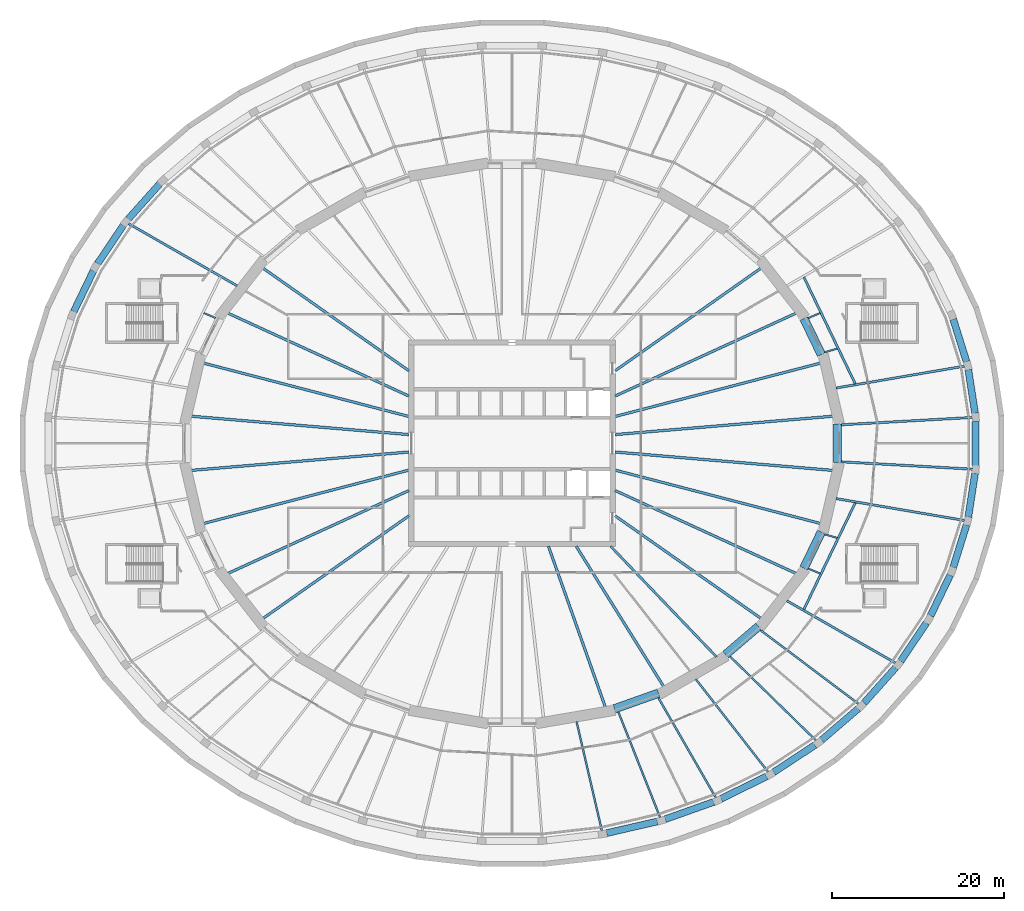
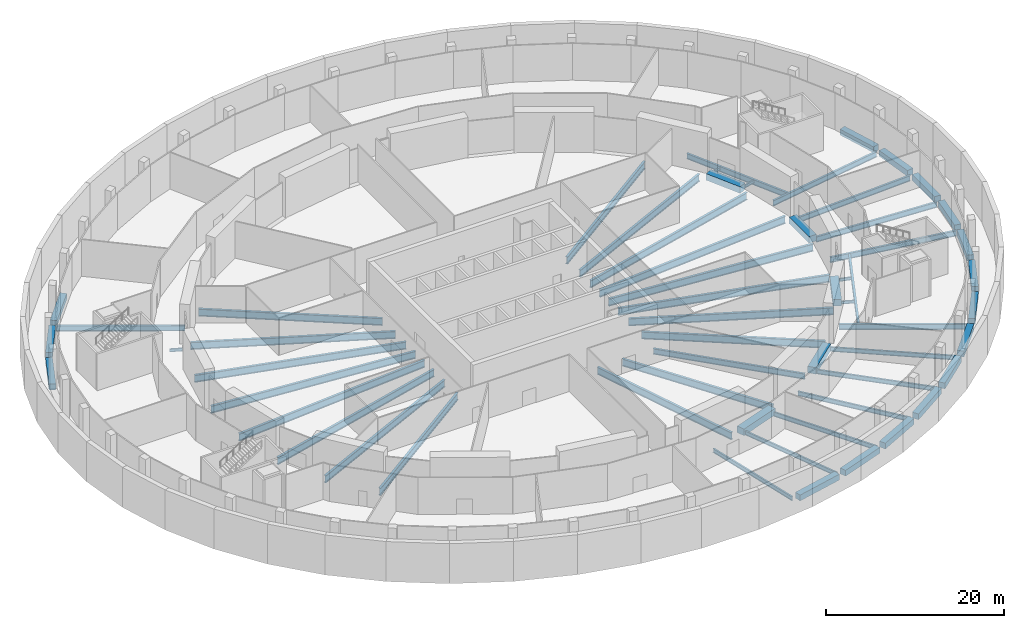
# One storey, part 2 of 14: 59 beams.
"""IFC4 building model written with IfcOpenShell, lengths in metres."""

from ifc_helpers import new_model, si_unit, direction, frame, origin, origin_2d, place, context, subcontext, project, spatial, rectangle, i_section, extrude, material, material_profile, profile_set, type_object, element, save


model = new_model("IFC4")

# Units and contexts
model_context = context("Model", 3, precision=1e-05, world=origin(), true_north=direction((0.0, 1.0)))
body_context = subcontext(model_context, "Body", "Model", "MODEL_VIEW")
ifc_project = project(units=[si_unit("LENGTHUNIT", "METRE"), si_unit("AREAUNIT", "SQUARE_METRE"), si_unit("VOLUMEUNIT", "CUBIC_METRE"), si_unit("PLANEANGLEUNIT", "RADIAN"), si_unit("MASSUNIT", "GRAM", prefix="KILO")], contexts=[model_context])

# Site, building, storey
site_placement = place(None, origin())
site = spatial("IfcSite", under=ifc_project, at=site_placement, CompositionType="ELEMENT")
building_placement = place(site_placement, origin())
building = spatial("IfcBuilding", under=site, at=building_placement, Name="Halqa Exchange Tower", CompositionType="ELEMENT")
storey_placement = place(building_placement, frame((0.0, 0.0, -9.5)))
storey = spatial("IfcBuildingStorey", under=building, at=storey_placement, Name="B2", CompositionType="ELEMENT", Elevation=-9.5)

# Beams
ifc_material_1 = material(Name="Steel S355", Category="steel")
ifc_material_profile_1 = material_profile(ifc_material_1, i_section(OverallWidth=0.300048828125, OverallDepth=0.989990234375, WebThickness=0.0166015625, FlangeThickness=0.031005859375, FilletRadius=0.030029296875, at=origin_2d()), Name="HEA 1000")
ifc_profile_set_1 = profile_set([ifc_material_profile_1], Name="Steel S355")
beam_type_1 = type_object("IfcBeamType", Name="Floor beam HEA 1000", PredefinedType="BEAM", material=ifc_profile_set_1)
beam_1_placement = place(storey_placement, frame((7.46533203125, -11.971435546875, -0.844970703125), z_axis=(0.529145823441, -0.848530905468, 0.0), x_axis=(0.848530905468, 0.529145823441, 0.0)))
element("IfcBeam", 1, at=beam_1_placement, inside=storey, type_object=beam_type_1, Name="Radial beam 27", PredefinedType="BEAM", context=body_context, shape_type="SweptSolid", body=[
    extrude(i_section(OverallWidth=0.300048828125, OverallDepth=0.989990234375, WebThickness=0.0166015625, FlangeThickness=0.031005859375, FilletRadius=0.030029296875, at=origin_2d()), origin(), (0.0, 0.0, 1.0), 19.27294921875),
])
ifc_material_profile_2 = material_profile(ifc_material_1, i_section(OverallWidth=0.300048828125, OverallDepth=1.0, WebThickness=0.01904296875, FlangeThickness=0.035888671875, FilletRadius=0.030029296875, at=origin_2d()), Name="HEB 1000")
ifc_profile_set_2 = profile_set([ifc_material_profile_2], Name="Steel S355")
beam_type_2 = type_object("IfcBeamType", Name="Floor beam HEB 1000", PredefinedType="BEAM", material=ifc_profile_set_2)
beam_2_placement = place(storey_placement, frame((11.972412109375, 5.485107421875, -0.85009765625), z_axis=(0.909128229117, 0.416516341843, 0.0), x_axis=(-0.416516341843, 0.909128229117, 0.0)))
element("IfcBeam", 2, at=beam_2_placement, inside=storey, type_object=beam_type_2, Name="Radial beam 3", PredefinedType="BEAM", context=body_context, shape_type="SweptSolid", body=[
    extrude(i_section(OverallWidth=0.300048828125, OverallDepth=1.0, WebThickness=0.01904296875, FlangeThickness=0.035888671875, FilletRadius=0.030029296875, at=origin_2d()), origin(), (0.0, 0.0, 1.0), 23.209228515625),
])
for number, where, z_axis, x_axis, name in (
    (3, (11.972412109375, 8.421875, -0.85009765625), (0.817909911418, 0.575346310325, 0.0), (-0.575346310325, 0.817909911418, 0.0), "Radial beam 4"),
    (4, (-11.972412109375, 8.421875, -0.85009765625), (-0.817909911418, 0.575346310325, 0.0), (-0.575346310325, -0.817909911418, 0.0), "Radial beam 13"),
):
    element("IfcBeam", number, at=place(storey_placement, frame(where, z_axis=z_axis, x_axis=x_axis)), inside=storey, type_object=beam_type_2, Name=name, PredefinedType="BEAM", context=body_context, shape_type="SweptSolid", body=[
        extrude(i_section(OverallWidth=0.300048828125, OverallDepth=1.0, WebThickness=0.01904296875, FlangeThickness=0.035888671875, FilletRadius=0.030029296875, at=origin_2d()), origin(), (0.0, 0.0, 1.0), 20.804443359375),
    ])
for number, where, z_axis, x_axis, name in (
    (5, (-11.972412109375, 5.485107421875, -0.85009765625), (-0.909128229117, 0.416516341843, 0.0), (-0.416516341843, -0.909128229117, 0.0), "Radial beam 14"),
    (6, (-11.972412109375, -5.485107421875, -0.85009765625), (-0.909128229117, -0.416516341843, 0.0), (0.416516341843, -0.909128229117, 0.0), "Radial beam 19"),
):
    element("IfcBeam", number, at=place(storey_placement, frame(where, z_axis=z_axis, x_axis=x_axis)), inside=storey, type_object=beam_type_2, Name=name, PredefinedType="BEAM", context=body_context, shape_type="SweptSolid", body=[
        extrude(i_section(OverallWidth=0.300048828125, OverallDepth=1.0, WebThickness=0.01904296875, FlangeThickness=0.035888671875, FilletRadius=0.030029296875, at=origin_2d()), origin(), (0.0, 0.0, 1.0), 23.209228515625),
    ])
beam_3_placement = place(storey_placement, frame((-11.972412109375, -8.421875, -0.85009765625), z_axis=(-0.817909911418, -0.575346310325, 0.0), x_axis=(0.575346310325, -0.817909911418, 0.0)))
element("IfcBeam", 7, at=beam_3_placement, inside=storey, type_object=beam_type_2, Name="Radial beam 20", PredefinedType="BEAM", context=body_context, shape_type="SweptSolid", body=[
    extrude(i_section(OverallWidth=0.300048828125, OverallDepth=1.0, WebThickness=0.01904296875, FlangeThickness=0.035888671875, FilletRadius=0.030029296875, at=origin_2d()), origin(), (0.0, 0.0, 1.0), 20.804443359375),
])
beam_4_placement = place(storey_placement, frame((4.23681640625, -11.971923828125, -0.85009765625), z_axis=(0.333633039334, -0.942703025913, 0.0), x_axis=(0.942703025913, 0.333633039334, 0.0)))
element("IfcBeam", 8, at=beam_4_placement, inside=storey, type_object=beam_type_2, Name="Radial beam 26", PredefinedType="BEAM", context=body_context, shape_type="SweptSolid", body=[
    extrude(i_section(OverallWidth=0.300048828125, OverallDepth=1.0, WebThickness=0.01904296875, FlangeThickness=0.035888671875, FilletRadius=0.030029296875, at=origin_2d()), origin(), (0.0, 0.0, 1.0), 19.885009765625),
])
beam_5_placement = place(storey_placement, frame((11.972412109375, -8.421875, -0.85009765625), z_axis=(0.817909911418, -0.575346310325, 0.0), x_axis=(0.575346310325, 0.817909911418, 0.0)))
element("IfcBeam", 9, at=beam_5_placement, inside=storey, type_object=beam_type_2, Name="Radial beam 29", PredefinedType="BEAM", context=body_context, shape_type="SweptSolid", body=[
    extrude(i_section(OverallWidth=0.300048828125, OverallDepth=1.0, WebThickness=0.01904296875, FlangeThickness=0.035888671875, FilletRadius=0.030029296875, at=origin_2d()), origin(), (0.0, 0.0, 1.0), 20.804443359375),
])
beam_6_placement = place(storey_placement, frame((11.972412109375, -5.485107421875, -0.85009765625), z_axis=(0.909128229117, -0.416516341843, 0.0), x_axis=(0.416516341843, 0.909128229117, 0.0)))
element("IfcBeam", 10, at=beam_6_placement, inside=storey, type_object=beam_type_2, Name="Radial beam 30", PredefinedType="BEAM", context=body_context, shape_type="SweptSolid", body=[
    extrude(i_section(OverallWidth=0.300048828125, OverallDepth=1.0, WebThickness=0.01904296875, FlangeThickness=0.035888671875, FilletRadius=0.030029296875, at=origin_2d()), origin(), (0.0, 0.0, 1.0), 23.209228515625),
])
ifc_material_profile_3 = material_profile(ifc_material_1, i_section(OverallWidth=0.302001953125, OverallDepth=1.008056640625, WebThickness=0.02099609375, FlangeThickness=0.0400390625, FilletRadius=0.030029296875, at=origin_2d()), Name="HEM 1000")
ifc_profile_set_3 = profile_set([ifc_material_profile_3], Name="Steel S355")
beam_type_3 = type_object("IfcBeamType", Name="Floor beam HEM 1000", PredefinedType="BEAM", material=ifc_profile_set_3)
beam_7_placement = place(storey_placement, frame((11.972412109375, 1.0107421875, -0.85400390625), z_axis=(0.996455167327, 0.084125498561, 0.0), x_axis=(-0.084125498561, 0.996455167327, 0.0)))
element("IfcBeam", 11, at=beam_7_placement, inside=storey, type_object=beam_type_3, Name="Radial beam 1", PredefinedType="BEAM", context=body_context, shape_type="SweptSolid", body=[
    extrude(i_section(OverallWidth=0.302001953125, OverallDepth=1.008056640625, WebThickness=0.02099609375, FlangeThickness=0.0400390625, FilletRadius=0.030029296875, at=origin_2d()), origin(), (0.0, 0.0, 1.0), 25.460205078125),
])
for number, where, z_axis, x_axis, name in (
    (12, (11.971435546875, 3.11279296875, -0.85400390625), (0.967821064299, 0.251639399735, 0.0), (-0.251639399735, 0.967821064299, 0.0), "Radial beam 2"),
    (13, (-11.971435546875, 3.11279296875, -0.85400390625), (-0.967821064299, 0.251639399735, 0.0), (-0.251639399735, -0.967821064299, 0.0), "Radial beam 15"),
):
    element("IfcBeam", number, at=place(storey_placement, frame(where, z_axis=z_axis, x_axis=x_axis)), inside=storey, type_object=beam_type_3, Name=name, PredefinedType="BEAM", context=body_context, shape_type="SweptSolid", body=[
        extrude(i_section(OverallWidth=0.302001953125, OverallDepth=1.008056640625, WebThickness=0.02099609375, FlangeThickness=0.0400390625, FilletRadius=0.030029296875, at=origin_2d()), origin(), (0.0, 0.0, 1.0), 24.7314453125),
    ])
for number, where, z_axis, x_axis, name in (
    (14, (-11.972412109375, 1.0107421875, -0.85400390625), (-0.996455167327, 0.084125498561, 0.0), (-0.084125498561, -0.996455167327, 0.0), "Radial beam 16"),
    (15, (-11.972412109375, -1.0107421875, -0.85400390625), (-0.996455167327, -0.084125498561, 0.0), (0.084125498561, -0.996455167327, 0.0), "Radial beam 17"),
):
    element("IfcBeam", number, at=place(storey_placement, frame(where, z_axis=z_axis, x_axis=x_axis)), inside=storey, type_object=beam_type_3, Name=name, PredefinedType="BEAM", context=body_context, shape_type="SweptSolid", body=[
        extrude(i_section(OverallWidth=0.302001953125, OverallDepth=1.008056640625, WebThickness=0.02099609375, FlangeThickness=0.0400390625, FilletRadius=0.030029296875, at=origin_2d()), origin(), (0.0, 0.0, 1.0), 25.460205078125),
    ])
for number, where, z_axis, x_axis, name in (
    (16, (-11.971435546875, -3.11279296875, -0.85400390625), (-0.967821064299, -0.251639399735, 0.0), (0.251639399735, -0.967821064299, 0.0), "Radial beam 18"),
    (17, (11.971435546875, -3.11279296875, -0.85400390625), (0.967821064299, -0.251639399735, 0.0), (0.251639399735, 0.967821064299, 0.0), "Radial beam 31"),
):
    element("IfcBeam", number, at=place(storey_placement, frame(where, z_axis=z_axis, x_axis=x_axis)), inside=storey, type_object=beam_type_3, Name=name, PredefinedType="BEAM", context=body_context, shape_type="SweptSolid", body=[
        extrude(i_section(OverallWidth=0.302001953125, OverallDepth=1.008056640625, WebThickness=0.02099609375, FlangeThickness=0.0400390625, FilletRadius=0.030029296875, at=origin_2d()), origin(), (0.0, 0.0, 1.0), 24.7314453125),
    ])
beam_8_placement = place(storey_placement, frame((11.972412109375, -1.0107421875, -0.85400390625), z_axis=(0.996455167327, -0.084125498561, 0.0), x_axis=(0.084125498561, 0.996455167327, 0.0)))
element("IfcBeam", 18, at=beam_8_placement, inside=storey, type_object=beam_type_3, Name="Radial beam 32", PredefinedType="BEAM", context=body_context, shape_type="SweptSolid", body=[
    extrude(i_section(OverallWidth=0.302001953125, OverallDepth=1.008056640625, WebThickness=0.02099609375, FlangeThickness=0.0400390625, FilletRadius=0.030029296875, at=origin_2d()), origin(), (0.0, 0.0, 1.0), 25.460205078125),
])
ifc_material_profile_4 = material_profile(ifc_material_1, i_section(OverallWidth=0.179931640625, OverallDepth=0.39990234375, WebThickness=0.008544921875, FlangeThickness=0.013427734375, FilletRadius=0.02099609375, at=origin_2d()), Name="IPE 400")
ifc_profile_set_4 = profile_set([ifc_material_profile_4], Name="Steel S355")
beam_type_4 = type_object("IfcBeamType", Name="Floor beam IPE 400", PredefinedType="BEAM", material=ifc_profile_set_4)
beam_9_placement = place(storey_placement, frame((36.34521484375, 10.578369140625, -0.550048828125), z_axis=(0.960174163417, 0.279402175917, 0.0), x_axis=(-0.279402175917, 0.960174163417, 0.0)))
element("IfcBeam", 19, at=beam_9_placement, inside=storey, type_object=beam_type_4, Name="Radial beam 3a", PredefinedType="BEAM", context=body_context, shape_type="SweptSolid", body=[
    extrude(i_section(OverallWidth=0.179931640625, OverallDepth=0.39990234375, WebThickness=0.008544921875, FlangeThickness=0.013427734375, FilletRadius=0.02099609375, at=origin_2d()), origin(), (0.0, 0.0, 1.0), 1.521240234375),
])
for number, where, z_axis, x_axis, name in (
    (20, (34.423583984375, 14.555419921875, -0.550048828125), (0.921076708702, 0.389381171459, 0.0), (-0.389381171459, 0.921076708702, 0.0), "Radial beam 4a"),
    (21, (34.423583984375, -14.555419921875, -0.550048828125), (0.921076708702, -0.389381171459, 0.0), (0.389381171459, 0.921076708702, 0.0), "Radial beam 45a"),
):
    element("IfcBeam", number, at=place(storey_placement, frame(where, z_axis=z_axis, x_axis=x_axis)), inside=storey, type_object=beam_type_4, Name=name, PredefinedType="BEAM", context=body_context, shape_type="SweptSolid", body=[
        extrude(i_section(OverallWidth=0.179931640625, OverallDepth=0.39990234375, WebThickness=0.008544921875, FlangeThickness=0.013427734375, FilletRadius=0.02099609375, at=origin_2d()), origin(), (0.0, 0.0, 1.0), 1.5078125),
    ])
beam_10_placement = place(storey_placement, frame((36.34521484375, -10.578369140625, -0.550048828125), z_axis=(0.960174163417, -0.279402175917, 0.0), x_axis=(0.279402175917, 0.960174163417, 0.0)))
element("IfcBeam", 22, at=beam_10_placement, inside=storey, type_object=beam_type_4, Name="Radial beam 46a", PredefinedType="BEAM", context=body_context, shape_type="SweptSolid", body=[
    extrude(i_section(OverallWidth=0.179931640625, OverallDepth=0.39990234375, WebThickness=0.008544921875, FlangeThickness=0.013427734375, FilletRadius=0.02099609375, at=origin_2d()), origin(), (0.0, 0.0, 1.0), 1.521240234375),
])
beam_11_placement = place(storey_placement, frame((-34.423583984375, 14.555419921875, -0.550048828125), z_axis=(-0.921076708702, 0.389381171459, 0.0), x_axis=(-0.389381171459, -0.921076708702, 0.0)))
element("IfcBeam", 23, at=beam_11_placement, inside=storey, type_object=beam_type_4, Name="Radial beam 21a", PredefinedType="BEAM", context=body_context, shape_type="SweptSolid", body=[
    extrude(i_section(OverallWidth=0.179931640625, OverallDepth=0.39990234375, WebThickness=0.008544921875, FlangeThickness=0.013427734375, FilletRadius=0.02099609375, at=origin_2d()), origin(), (0.0, 0.0, 1.0), 1.5078125),
])
ifc_material_profile_5 = material_profile(ifc_material_1, i_section(OverallWidth=0.2099609375, OverallDepth=0.550048828125, WebThickness=0.010986328125, FlangeThickness=0.01708984375, FilletRadius=0.02392578125, at=origin_2d()), Name="IPE 550")
ifc_profile_set_5 = profile_set([ifc_material_profile_5], Name="Steel S355")
beam_type_5 = type_object("IfcBeamType", Name="Floor beam IPE 550", PredefinedType="BEAM", material=ifc_profile_set_5)
beam_12_placement = place(storey_placement, frame((7.5048828125, -32.35009765625, -0.625), z_axis=(0.2259960959, -0.974128207495, 0.0), x_axis=(0.974128207495, 0.2259960959, 0.0)))
element("IfcBeam", 24, at=beam_12_placement, inside=storey, type_object=beam_type_5, Name="Radial beam 38", PredefinedType="BEAM", context=body_context, shape_type="SweptSolid", body=[
    extrude(i_section(OverallWidth=0.2099609375, OverallDepth=0.550048828125, WebThickness=0.010986328125, FlangeThickness=0.01708984375, FilletRadius=0.02392578125, at=origin_2d()), origin(), (0.0, 0.0, 1.0), 13.03466796875),
])
beam_13_placement = place(storey_placement, frame((12.352294921875, -31.2001953125, -0.625), z_axis=(0.368106640822, -0.929783577497, 0.0), x_axis=(0.929783577497, 0.368106640822, 0.0)))
element("IfcBeam", 25, at=beam_13_placement, inside=storey, type_object=beam_type_5, Name="Radial beam 39", PredefinedType="BEAM", context=body_context, shape_type="SweptSolid", body=[
    extrude(i_section(OverallWidth=0.2099609375, OverallDepth=0.550048828125, WebThickness=0.010986328125, FlangeThickness=0.01708984375, FilletRadius=0.02392578125, at=origin_2d()), origin(), (0.0, 0.0, 1.0), 13.22412109375),
])
ifc_material_profile_6 = material_profile(ifc_material_1, i_section(OverallWidth=0.219970703125, OverallDepth=0.60009765625, WebThickness=0.011962890625, FlangeThickness=0.01904296875, FilletRadius=0.02392578125, at=origin_2d()), Name="IPE 600")
ifc_profile_set_6 = profile_set([ifc_material_profile_6], Name="Steel S355")
beam_type_6 = type_object("IfcBeamType", Name="Floor beam IPE 600", PredefinedType="BEAM", material=ifc_profile_set_6)
beam_14_placement = place(storey_placement, frame((16.996826171875, -29.551513671875, -0.64990234375), z_axis=(0.498570786865, -0.866848989435, 0.0), x_axis=(0.866848989435, 0.498570786865, 0.0)))
element("IfcBeam", 26, at=beam_14_placement, inside=storey, type_object=beam_type_6, Name="Radial beam 40", PredefinedType="BEAM", context=body_context, shape_type="SweptSolid", body=[
    extrude(i_section(OverallWidth=0.219970703125, OverallDepth=0.60009765625, WebThickness=0.011962890625, FlangeThickness=0.01904296875, FilletRadius=0.02392578125, at=origin_2d()), origin(), (0.0, 0.0, 1.0), 13.438720703125),
])
beam_15_placement = place(storey_placement, frame((21.3603515625, -27.40966796875, -0.64990234375), z_axis=(0.614701342153, -0.78875995078, 0.0), x_axis=(0.78875995078, 0.614701342153, 0.0)))
element("IfcBeam", 27, at=beam_15_placement, inside=storey, type_object=beam_type_6, Name="Radial beam 41", PredefinedType="BEAM", context=body_context, shape_type="SweptSolid", body=[
    extrude(i_section(OverallWidth=0.219970703125, OverallDepth=0.60009765625, WebThickness=0.011962890625, FlangeThickness=0.01904296875, FilletRadius=0.02392578125, at=origin_2d()), origin(), (0.0, 0.0, 1.0), 13.681396484375),
])
beam_16_placement = place(storey_placement, frame((25.322265625, -24.757080078125, -0.64990234375), z_axis=(0.715038042334, -0.699085544133, 0.0), x_axis=(0.699085544133, 0.715038042334, 0.0)))
element("IfcBeam", 28, at=beam_16_placement, inside=storey, type_object=beam_type_6, Name="Radial beam 42", PredefinedType="BEAM", context=body_context, shape_type="SweptSolid", body=[
    extrude(i_section(OverallWidth=0.219970703125, OverallDepth=0.60009765625, WebThickness=0.011962890625, FlangeThickness=0.01904296875, FilletRadius=0.02392578125, at=origin_2d()), origin(), (0.0, 0.0, 1.0), 14.00341796875),
])
beam_17_placement = place(storey_placement, frame((28.875732421875, -21.71240234375, -0.64990234375), z_axis=(0.799257291391, -0.600989003359, 0.0), x_axis=(0.600989003359, 0.799257291391, 0.0)))
element("IfcBeam", 29, at=beam_17_placement, inside=storey, type_object=beam_type_6, Name="Radial beam 43", PredefinedType="BEAM", context=body_context, shape_type="SweptSolid", body=[
    extrude(i_section(OverallWidth=0.219970703125, OverallDepth=0.60009765625, WebThickness=0.011962890625, FlangeThickness=0.01904296875, FilletRadius=0.02392578125, at=origin_2d()), origin(), (0.0, 0.0, 1.0), 14.291259765625),
])
ifc_material_profile_7 = material_profile(ifc_material_1, i_section(OverallWidth=0.264892578125, OverallDepth=0.7529296875, WebThickness=0.01318359375, FlangeThickness=0.01708984375, FilletRadius=0.01708984375, at=origin_2d()), Name="IPE 750x147")
ifc_profile_set_7 = profile_set([ifc_material_profile_7], Name="Steel S355")
beam_type_7 = type_object("IfcBeamType", Name="Floor beam IPE 750x147", PredefinedType="BEAM", material=ifc_profile_set_7)
beam_18_placement = place(storey_placement, frame((38.2880859375, 2.151611328125, -0.7265625), z_axis=(0.998424130563, 0.056118227964, 0.0), x_axis=(-0.056118227964, 0.998424130563, 0.0)))
element("IfcBeam", 30, at=beam_18_placement, inside=storey, type_object=beam_type_7, Name="Radial beam 1", PredefinedType="BEAM", context=body_context, shape_type="SweptSolid", body=[
    extrude(i_section(OverallWidth=0.264892578125, OverallDepth=0.7529296875, WebThickness=0.01318359375, FlangeThickness=0.01708984375, FilletRadius=0.01708984375, at=origin_2d()), origin(), (0.0, 0.0, 1.0), 15.248291015625),
])
beam_19_placement = place(storey_placement, frame((37.654296875, 6.421875, -0.7265625), z_axis=(0.985764762639, 0.168130403968, 0.0), x_axis=(-0.168130403968, 0.985764762639, 0.0)))
element("IfcBeam", 31, at=beam_19_placement, inside=storey, type_object=beam_type_7, Name="Radial beam 2", PredefinedType="BEAM", context=body_context, shape_type="SweptSolid", body=[
    extrude(i_section(OverallWidth=0.264892578125, OverallDepth=0.7529296875, WebThickness=0.01318359375, FlangeThickness=0.01708984375, FilletRadius=0.01708984375, at=origin_2d()), origin(), (0.0, 0.0, 1.0), 15.156982421875),
])
for number, where, z_axis, x_axis, name in (
    (32, (-31.942626953125, 18.300048828125, -0.7265625), (-0.867691436398, 0.497103179633, 0.0), (-0.497103179633, -0.867691436398, 0.0), "Radial beam 20"),
    (33, (31.942626953125, -18.300048828125, -0.7265625), (0.867691436398, -0.497103179633, 0.0), (0.497103179633, 0.867691436398, 0.0), "Radial beam 44"),
):
    element("IfcBeam", number, at=place(storey_placement, frame(where, z_axis=z_axis, x_axis=x_axis)), inside=storey, type_object=beam_type_7, Name=name, PredefinedType="BEAM", context=body_context, shape_type="SweptSolid", body=[
        extrude(i_section(OverallWidth=0.264892578125, OverallDepth=0.7529296875, WebThickness=0.01318359375, FlangeThickness=0.01708984375, FilletRadius=0.01708984375, at=origin_2d()), origin(), (0.0, 0.0, 1.0), 14.555908203125),
    ])
beam_20_placement = place(storey_placement, frame((37.654296875, -6.421875, -0.7265625), z_axis=(0.985764762639, -0.168130403968, 0.0), x_axis=(0.168130403968, 0.985764762639, 0.0)))
element("IfcBeam", 34, at=beam_20_placement, inside=storey, type_object=beam_type_7, Name="Radial beam 47", PredefinedType="BEAM", context=body_context, shape_type="SweptSolid", body=[
    extrude(i_section(OverallWidth=0.264892578125, OverallDepth=0.7529296875, WebThickness=0.01318359375, FlangeThickness=0.01708984375, FilletRadius=0.01708984375, at=origin_2d()), origin(), (0.0, 0.0, 1.0), 15.156982421875),
])
beam_21_placement = place(storey_placement, frame((38.2880859375, -2.151611328125, -0.7265625), z_axis=(0.998424130563, -0.056118227964, 0.0), x_axis=(0.056118227964, 0.998424130563, 0.0)))
element("IfcBeam", 35, at=beam_21_placement, inside=storey, type_object=beam_type_7, Name="Radial beam 48", PredefinedType="BEAM", context=body_context, shape_type="SweptSolid", body=[
    extrude(i_section(OverallWidth=0.264892578125, OverallDepth=0.7529296875, WebThickness=0.01318359375, FlangeThickness=0.01708984375, FilletRadius=0.01708984375, at=origin_2d()), origin(), (0.0, 0.0, 1.0), 15.248291015625),
])
for number, where, z_axis, x_axis, name in (
    (36, (39.89306640625, 6.91015625, -0.7265625), (-0.433856142987, 0.900982156978, 0.0), (-0.900982156978, -0.433856142987, 0.0), "Radial beam TSS1-in"),
    (37, (33.92041015625, -19.3134765625, -0.7265625), (0.433856142987, 0.900982156978, 0.0), (-0.900982156978, 0.433856142987, 0.0), "Radial beam TSS2-in"),
):
    element("IfcBeam", number, at=place(storey_placement, frame(where, z_axis=z_axis, x_axis=x_axis)), inside=storey, type_object=beam_type_7, Name=name, PredefinedType="BEAM", context=body_context, shape_type="SweptSolid", body=[
        extrude(i_section(OverallWidth=0.264892578125, OverallDepth=0.7529296875, WebThickness=0.01318359375, FlangeThickness=0.01708984375, FilletRadius=0.01708984375, at=origin_2d()), origin(), (0.0, 0.0, 1.0), 13.766357421875),
    ])
ifc_material_profile_8 = material_profile(ifc_material_1, i_section(OverallWidth=0.26806640625, OverallDepth=0.77001953125, WebThickness=0.015625, FlangeThickness=0.025390625, FilletRadius=0.01708984375, at=origin_2d()), Name="IPE 750x196")
ifc_profile_set_8 = profile_set([ifc_material_profile_8], Name="Steel S355")
beam_type_8 = type_object("IfcBeamType", Name="Floor beam IPE 750x196", PredefinedType="BEAM", material=ifc_profile_set_8)
beam_22_placement = place(storey_placement, frame((11.46240234375, -11.9716796875, -0.735107421875), z_axis=(0.6915763718, -0.722303344841, 0.0), x_axis=(0.722303344841, 0.6915763718, 0.0)))
element("IfcBeam", 38, at=beam_22_placement, inside=storey, type_object=beam_type_8, Name="Radial beam 28", PredefinedType="BEAM", context=body_context, shape_type="SweptSolid", body=[
    extrude(i_section(OverallWidth=0.26806640625, OverallDepth=0.77001953125, WebThickness=0.015625, FlangeThickness=0.025390625, FilletRadius=0.01708984375, at=origin_2d()), origin(), (0.0, 0.0, 1.0), 17.7978515625),
])
ifc_material_2 = material(Name="Concrete C60/75", Category="concrete")
ifc_material_profile_9 = material_profile(ifc_material_2, rectangle(XDim=0.800048828125, YDim=0.800048828125, at=origin_2d()), Name="800 x 800")
ifc_profile_set_9 = profile_set([ifc_material_profile_9], Name="Concrete C60/75")
beam_type_9 = type_object("IfcBeamType", Name="RC podium edge beam 800 x 800 C60/75", PredefinedType="SPANDREL", material=ifc_profile_set_9)
beam_23_placement = place(storey_placement, frame((53.812744140625, 3.495361328125, -0.39990234375), z_axis=(-0.151767505705, 0.988416220128, 0.0), x_axis=(-0.988416220128, -0.151767505705, 0.0)))
element("IfcBeam", 39, at=beam_23_placement, inside=storey, type_object=beam_type_9, Name="Podium edge beam 1", PredefinedType="SPANDREL", context=body_context, shape_type="SweptSolid", body=[
    extrude(rectangle(XDim=0.800048828125, YDim=0.800048828125, at=origin_2d()), origin(), (0.0, 0.0, 1.0), 5.1298828125),
])
beam_24_placement = place(storey_placement, frame((52.821044921875, 9.4853515625, -0.39990234375), z_axis=(-0.298331338153, 0.954462368392, 0.0), x_axis=(-0.954462368392, -0.298331338153, 0.0)))
element("IfcBeam", 40, at=beam_24_placement, inside=storey, type_object=beam_type_9, Name="Podium edge beam 2", PredefinedType="SPANDREL", context=body_context, shape_type="SweptSolid", body=[
    extrude(rectangle(XDim=0.800048828125, YDim=0.800048828125, at=origin_2d()), origin(), (0.0, 0.0, 1.0), 5.180908203125),
])
beam_25_placement = place(storey_placement, frame((-40.914794921875, 30.175048828125, -0.39990234375), z_axis=(-0.666902525907, -0.745144966392, 0.0), x_axis=(0.745144966392, -0.666902525907, 0.0)))
element("IfcBeam", 41, at=beam_25_placement, inside=storey, type_object=beam_type_9, Name="Podium edge beam 19", PredefinedType="SPANDREL", context=body_context, shape_type="SweptSolid", body=[
    extrude(rectangle(XDim=0.800048828125, YDim=0.800048828125, at=origin_2d()), origin(), (0.0, 0.0, 1.0), 5.501220703125),
])
beam_26_placement = place(storey_placement, frame((-45.1630859375, 25.331298828125, -0.39990234375), z_axis=(-0.558528358221, -0.829485426673, 0.0), x_axis=(0.829485426673, -0.558528358221, 0.0)))
element("IfcBeam", 42, at=beam_26_placement, inside=storey, type_object=beam_type_9, Name="Podium edge beam 20", PredefinedType="SPANDREL", context=body_context, shape_type="SweptSolid", body=[
    extrude(rectangle(XDim=0.800048828125, YDim=0.800048828125, at=origin_2d()), origin(), (0.0, 0.0, 1.0), 5.378173828125),
])
beam_27_placement = place(storey_placement, frame((-48.636962890625, 20.052001953125, -0.39990234375), z_axis=(-0.43497328232, -0.9004433595, 0.0), x_axis=(0.9004433595, -0.43497328232, 0.0)))
element("IfcBeam", 43, at=beam_27_placement, inside=storey, type_object=beam_type_9, Name="Podium edge beam 21", PredefinedType="SPANDREL", context=body_context, shape_type="SweptSolid", body=[
    extrude(rectangle(XDim=0.800048828125, YDim=0.800048828125, at=origin_2d()), origin(), (0.0, 0.0, 1.0), 5.267578125),
])
beam_28_placement = place(storey_placement, frame((10.99658203125, -45.304443359375, -0.39990234375), z_axis=(0.974604133477, 0.223934774008, 0.0), x_axis=(-0.223934774008, 0.974604133477, 0.0)))
element("IfcBeam", 44, at=beam_28_placement, inside=storey, type_object=beam_type_9, Name="Podium edge beam 38", PredefinedType="SPANDREL", context=body_context, shape_type="SweptSolid", body=[
    extrude(rectangle(XDim=0.800048828125, YDim=0.800048828125, at=origin_2d()), origin(), (0.0, 0.0, 1.0), 6.05517578125),
])
beam_29_placement = place(storey_placement, frame((17.802490234375, -43.684814453125, -0.39990234375), z_axis=(0.942343471221, 0.334647250469, 0.0), x_axis=(-0.334647250469, 0.942343471221, 0.0)))
element("IfcBeam", 45, at=beam_29_placement, inside=storey, type_object=beam_type_9, Name="Podium edge beam 39", PredefinedType="SPANDREL", context=body_context, shape_type="SweptSolid", body=[
    extrude(rectangle(XDim=0.800048828125, YDim=0.800048828125, at=origin_2d()), origin(), (0.0, 0.0, 1.0), 5.980712890625),
])
beam_30_placement = place(storey_placement, frame((24.30712890625, -41.3154296875, -0.39990234375), z_axis=(0.896205416004, 0.443639326847, 0.0), x_axis=(-0.443639326847, 0.896205416004, 0.0)))
element("IfcBeam", 46, at=beam_30_placement, inside=storey, type_object=beam_type_9, Name="Podium edge beam 40", PredefinedType="SPANDREL", context=body_context, shape_type="SweptSolid", body=[
    extrude(rectangle(XDim=0.800048828125, YDim=0.800048828125, at=origin_2d()), origin(), (0.0, 0.0, 1.0), 5.880126953125),
])
beam_31_placement = place(storey_placement, frame((30.396240234375, -38.23681640625, -0.39990234375), z_axis=(0.835418618456, 0.549614166426, 0.0), x_axis=(-0.549614166426, 0.835418618456, 0.0)))
element("IfcBeam", 47, at=beam_31_placement, inside=storey, type_object=beam_type_9, Name="Podium edge beam 41", PredefinedType="SPANDREL", context=body_context, shape_type="SweptSolid", body=[
    extrude(rectangle(XDim=0.800048828125, YDim=0.800048828125, at=origin_2d()), origin(), (0.0, 0.0, 1.0), 5.760986328125),
])
beam_32_placement = place(storey_placement, frame((35.963134765625, -34.502685546875, -0.39990234375), z_axis=(0.759174010844, 0.650887717859, 0.0), x_axis=(-0.650887717859, 0.759174010844, 0.0)))
element("IfcBeam", 48, at=beam_32_placement, inside=storey, type_object=beam_type_9, Name="Podium edge beam 42", PredefinedType="SPANDREL", context=body_context, shape_type="SweptSolid", body=[
    extrude(rectangle(XDim=0.800048828125, YDim=0.800048828125, at=origin_2d()), origin(), (0.0, 0.0, 1.0), 5.63427734375),
])
beam_33_placement = place(storey_placement, frame((40.914794921875, -30.175048828125, -0.39990234375), z_axis=(0.666902525907, 0.745144966392, 0.0), x_axis=(-0.745144966392, 0.666902525907, 0.0)))
element("IfcBeam", 49, at=beam_33_placement, inside=storey, type_object=beam_type_9, Name="Podium edge beam 43", PredefinedType="SPANDREL", context=body_context, shape_type="SweptSolid", body=[
    extrude(rectangle(XDim=0.800048828125, YDim=0.800048828125, at=origin_2d()), origin(), (0.0, 0.0, 1.0), 5.501220703125),
])
beam_34_placement = place(storey_placement, frame((45.1630859375, -25.331298828125, -0.39990234375), z_axis=(0.558528358221, 0.829485426673, 0.0), x_axis=(-0.829485426673, 0.558528358221, 0.0)))
element("IfcBeam", 50, at=beam_34_placement, inside=storey, type_object=beam_type_9, Name="Podium edge beam 44", PredefinedType="SPANDREL", context=body_context, shape_type="SweptSolid", body=[
    extrude(rectangle(XDim=0.800048828125, YDim=0.800048828125, at=origin_2d()), origin(), (0.0, 0.0, 1.0), 5.378173828125),
])
beam_35_placement = place(storey_placement, frame((48.636962890625, -20.052001953125, -0.39990234375), z_axis=(0.43497328232, 0.9004433595, 0.0), x_axis=(-0.9004433595, 0.43497328232, 0.0)))
element("IfcBeam", 51, at=beam_35_placement, inside=storey, type_object=beam_type_9, Name="Podium edge beam 45", PredefinedType="SPANDREL", context=body_context, shape_type="SweptSolid", body=[
    extrude(rectangle(XDim=0.800048828125, YDim=0.800048828125, at=origin_2d()), origin(), (0.0, 0.0, 1.0), 5.267578125),
])
beam_36_placement = place(storey_placement, frame((51.275390625, -14.430419921875, -0.39990234375), z_axis=(0.298331338153, 0.954462368392, 0.0), x_axis=(-0.954462368392, 0.298331338153, 0.0)))
element("IfcBeam", 52, at=beam_36_placement, inside=storey, type_object=beam_type_9, Name="Podium edge beam 46", PredefinedType="SPANDREL", context=body_context, shape_type="SweptSolid", body=[
    extrude(rectangle(XDim=0.800048828125, YDim=0.800048828125, at=origin_2d()), origin(), (0.0, 0.0, 1.0), 5.180908203125),
])
beam_37_placement = place(storey_placement, frame((53.0341796875, -8.56591796875, -0.39990234375), z_axis=(0.151767505705, 0.988416220128, 0.0), x_axis=(-0.988416220128, 0.151767505705, 0.0)))
element("IfcBeam", 53, at=beam_37_placement, inside=storey, type_object=beam_type_9, Name="Podium edge beam 47", PredefinedType="SPANDREL", context=body_context, shape_type="SweptSolid", body=[
    extrude(rectangle(XDim=0.800048828125, YDim=0.800048828125, at=origin_2d()), origin(), (0.0, 0.0, 1.0), 5.1298828125),
])
beam_38_placement = place(storey_placement, frame((53.884521484375, -2.5556640625, -0.39990234375), z_axis=(0.0, 1.0, 0.0), x_axis=(-1.0, 0.0, 0.0)))
element("IfcBeam", 54, at=beam_38_placement, inside=storey, type_object=beam_type_9, Name="Podium edge beam 48", PredefinedType="SPANDREL", context=body_context, shape_type="SweptSolid", body=[
    extrude(rectangle(XDim=0.800048828125, YDim=0.800048828125, at=origin_2d()), origin(), (0.0, 0.0, 1.0), 5.111328125),
])
ifc_material_profile_10 = material_profile(ifc_material_2, rectangle(XDim=1.0, YDim=0.89990234375, at=origin_2d()), Name="1000 x 900")
ifc_profile_set_10 = profile_set([ifc_material_profile_10], Name="Concrete C60/75")
beam_type_10 = type_object("IfcBeamType", Name="RC spandrel beam 1000 x 900 C60/75", PredefinedType="SPANDREL", material=ifc_profile_set_10)
beam_39_placement = place(storey_placement, frame((35.951904296875, 10.306884765625, -0.449951171875), z_axis=(-0.435068215878, 0.900397494184, 0.0), x_axis=(-0.900397494184, -0.435068215878, 0.0)))
element("IfcBeam", 55, at=beam_39_placement, inside=storey, type_object=beam_type_10, Name="Spandrel 2", PredefinedType="SPANDREL", context=body_context, shape_type="SweptSolid", body=[
    extrude(rectangle(XDim=1.0, YDim=0.89990234375, at=origin_2d()), origin(), (0.0, 0.0, 1.0), 4.6630859375),
])
beam_40_placement = place(storey_placement, frame((11.9130859375, -30.855712890625, -0.449951171875), z_axis=(0.942357788657, 0.334606930826, 0.0), x_axis=(-0.334606930826, 0.942357788657, 0.0)))
element("IfcBeam", 56, at=beam_40_placement, inside=storey, type_object=beam_type_10, Name="Spandrel 26", PredefinedType="SPANDREL", context=body_context, shape_type="SweptSolid", body=[
    extrude(rectangle(XDim=1.0, YDim=0.89990234375, at=origin_2d()), origin(), (0.0, 0.0, 1.0), 5.429931640625),
])
beam_41_placement = place(storey_placement, frame((24.81982421875, -24.56689453125, -0.449951171875), z_axis=(0.759263417999, 0.650783421799, 0.0), x_axis=(-0.650783421799, 0.759263417999, 0.0)))
element("IfcBeam", 57, at=beam_41_placement, inside=storey, type_object=beam_type_10, Name="Spandrel 28", PredefinedType="SPANDREL", context=body_context, shape_type="SweptSolid", body=[
    extrude(rectangle(XDim=1.0, YDim=0.89990234375, at=origin_2d()), origin(), (0.0, 0.0, 1.0), 5.056884765625),
])
beam_42_placement = place(storey_placement, frame((33.923095703125, -14.505615234375, -0.449951171875), z_axis=(0.435068215878, 0.900397494184, 0.0), x_axis=(-0.900397494184, 0.435068215878, 0.0)))
element("IfcBeam", 58, at=beam_42_placement, inside=storey, type_object=beam_type_10, Name="Spandrel 30", PredefinedType="SPANDREL", context=body_context, shape_type="SweptSolid", body=[
    extrude(rectangle(XDim=1.0, YDim=0.89990234375, at=origin_2d()), origin(), (0.0, 0.0, 1.0), 4.6630859375),
])
beam_43_placement = place(storey_placement, frame((37.81689453125, -2.24609375, -0.449951171875), z_axis=(0.0, 1.0, 0.0), x_axis=(-1.0, 0.0, 0.0)))
element("IfcBeam", 59, at=beam_43_placement, inside=storey, type_object=beam_type_10, Name="Spandrel 32", PredefinedType="SPANDREL", context=body_context, shape_type="SweptSolid", body=[
    extrude(rectangle(XDim=1.0, YDim=0.89990234375, at=origin_2d()), origin(), (0.0, 0.0, 1.0), 4.4921875),
])

save(model, "model.ifc")
